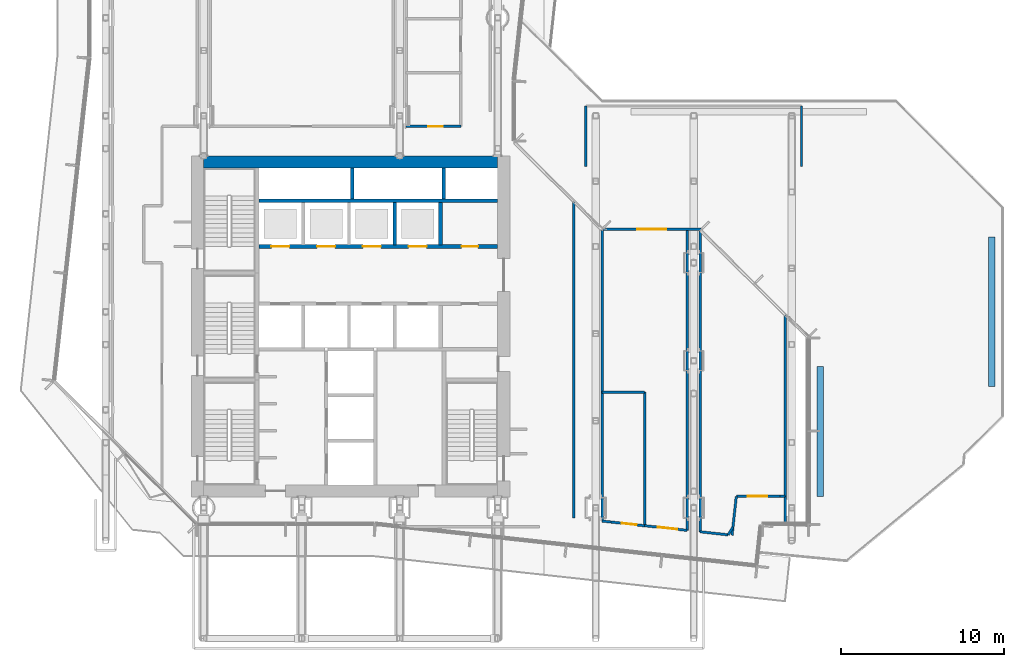
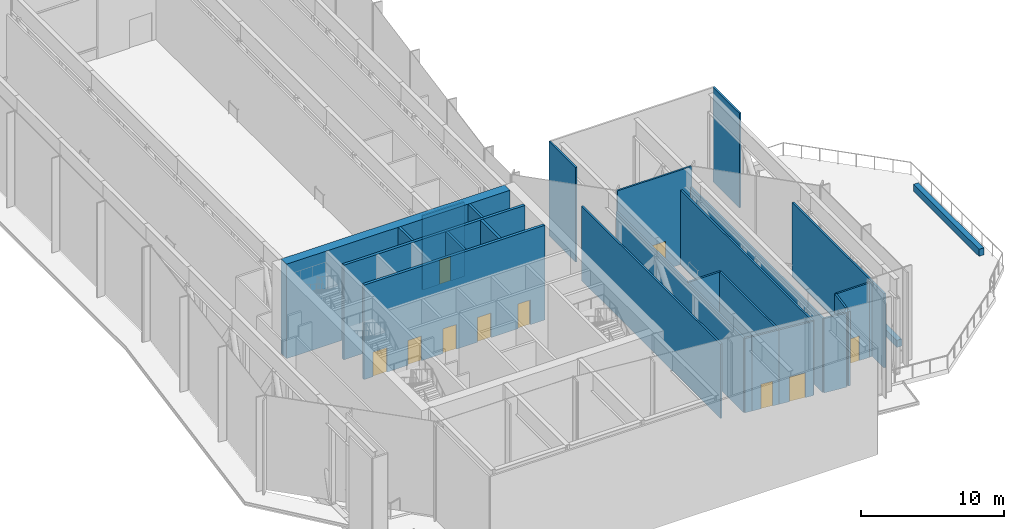
# One storey, part 14 of 24: 29 walls, 10 doors, 10 openings.
"""IFC4 building model written with IfcOpenShell, lengths in metres."""

from ifc_helpers import new_model, si_unit, direction, frame, frame_2d, origin, place, context, subcontext, project, spatial, rectangle, extrude, material, layer, layer_set, type_object, element, fill, save


model = new_model("IFC4")

# Units and contexts
model_context = context("Model", 3, precision=1e-05, world=origin(), true_north=direction((0.0, 1.0)))
body_context = subcontext(model_context, "Body", "Model", "MODEL_VIEW")
ifc_project = project(units=[si_unit("LENGTHUNIT", "METRE"), si_unit("AREAUNIT", "SQUARE_METRE"), si_unit("VOLUMEUNIT", "CUBIC_METRE"), si_unit("PLANEANGLEUNIT", "RADIAN"), si_unit("MASSUNIT", "GRAM", prefix="KILO")], contexts=[model_context])

# Site, building, storey
site_placement = place(None, origin())
site = spatial("IfcSite", under=ifc_project, at=site_placement, CompositionType="ELEMENT")
building_placement = place(site_placement, origin())
building = spatial("IfcBuilding", under=site, at=building_placement, Name="Welwitschia Terrace Campus", CompositionType="ELEMENT")
storey_placement = place(building_placement, frame((0.0, 0.0, 138.199951171875)))
storey = spatial("IfcBuildingStorey", under=building, at=storey_placement, Name="L31", CompositionType="ELEMENT", Elevation=138.199951171875)

# Wall, opening, door
ifc_material_1 = material(Name="Concrete C40/50", Category="concrete")
ifc_layer_1 = layer(ifc_material_1, 0.139892578125)
ifc_layer_set_1 = layer_set([ifc_layer_1], Name="Concrete C40/50")
wall_type_1 = type_object("IfcWallType", Name="Clad wall 140", PredefinedType="SOLIDWALL", material=ifc_layer_set_1)
wall_1_placement = place(storey_placement, frame((36.434814453125, 21.050048828125, 0.0), z_axis=(0.0, 0.0, 1.0), x_axis=(-1.0, 0.0, 0.0)))
wall_1 = element("IfcWall", 1, at=wall_1_placement, inside=storey, type_object=wall_type_1, Name="Clad wall L31.terrace door 0", PredefinedType="SOLIDWALL", context=body_context, shape_type="SweptSolid", body=[
    extrude(rectangle(XDim=6.0, YDim=0.139892578125, at=frame_2d((3.0, 0.0))), origin(), (0.0, 0.0, 1.0), 8.050048828125),
])
opening_1_placement = place(wall_1_placement, frame((2.10009765625, 0.0, 0.0)))
opening_1 = element("IfcOpeningElement", 2, at=opening_1_placement, cuts=wall_1, Name="Opening DE3", PredefinedType="OPENING", context=body_context, shape_type="SweptSolid", body=[
    extrude(rectangle(XDim=1.800048828125, YDim=2.39990234375, at=frame_2d((0.89990234375, 1.199951171875))), frame((0.0, 0.079833984375, 0.0), z_axis=(0.0, -1.0, 0.0), x_axis=(1.0, 0.0, 0.0)), (0.0, 0.0, 1.0), 0.159912109375),
])
ifc_material_2 = material(Name="Bronze anodised aluminium and glass", Category="aluminium")
door_type_1 = type_object("IfcDoorType", Name="Terrace door 1800x2400", OperationType="DOUBLE_DOOR_DOUBLE_SWING", PredefinedType="DOOR", material=ifc_material_2)
door_1_placement = place(opening_1_placement, origin())
door_1 = element("IfcDoor", 3, at=door_1_placement, inside=storey, type_object=door_type_1, Name="Door L31:T0", OperationType="DOUBLE_DOOR_DOUBLE_SWING", OverallHeight=2.39990234375, OverallWidth=1.800048828125, PredefinedType="DOOR", context=body_context, shape_type="SweptSolid", body=[
    extrude(rectangle(XDim=1.800048828125, YDim=2.39990234375, at=frame_2d((0.89990234375, 1.199951171875))), frame((0.0, 0.02490234375, 0.0), z_axis=(0.0, -1.0, 0.0), x_axis=(1.0, 0.0, 0.0)), (0.0, 0.0, 1.0), 0.050048828125),
])
fill(opening_1, door_1)

# Walls
for number, where, z_axis, x_axis, name in (
    (4, (29.39990234375, 24.89990234375, 0.0), (0.0, 0.0, 1.0), (0.0, 1.0, 0.0), "Clad wall L31.tip fascia Nb1 w"),
    (5, (42.60009765625, 24.89990234375, 0.0), (0.0, 0.0, 1.0), (0.0, 1.0, 0.0), "Clad wall L31.tip fascia Nb1 e"),
):
    element("IfcWall", number, at=place(storey_placement, frame(where, z_axis=z_axis, x_axis=x_axis)), inside=storey, type_object=wall_type_1, Name=name, PredefinedType="SOLIDWALL", context=body_context, shape_type="SweptSolid", body=[
        extrude(rectangle(XDim=3.7001953125, YDim=0.139892578125, at=frame_2d((1.85009765625, 0.0))), origin(), (0.0, 0.0, 1.0), 8.050048828125),
    ])

# Wall, openings, doors
ifc_material_3 = material(Name="Concrete C32/40", Category="concrete")
ifc_layer_2 = layer(ifc_material_3, 0.22509765625)
ifc_layer_set_2 = layer_set([ifc_layer_2], Name="Concrete C32/40")
wall_type_2 = type_object("IfcWallType", Name="Core partition 225 Concrete C32/40", PredefinedType="PARTITIONING", material=ifc_layer_set_2)
wall_2_placement = place(storey_placement, frame((24.0, 20.0, 0.0), z_axis=(0.0, 0.0, 1.0), x_axis=(-1.0, 0.0, 0.0)))
wall_2 = element("IfcWall", 6, at=wall_2_placement, inside=storey, type_object=wall_type_2, Name="Shaft wall", PredefinedType="PARTITIONING", context=body_context, shape_type="SweptSolid", body=[
    extrude(rectangle(XDim=14.60009765625, YDim=0.22509765625, at=frame_2d((7.300048828125, 0.0))), origin(), (0.0, 0.0, 1.0), 8.050048828125),
])
opening_2_placement = place(wall_2_placement, frame((12.75, 0.0, 0.0)))
opening_2 = element("IfcOpeningElement", 7, at=opening_2_placement, cuts=wall_2, Name="Opening LD", PredefinedType="OPENING", context=body_context, shape_type="SweptSolid", body=[
    extrude(rectangle(XDim=1.10009765625, YDim=2.10009765625, at=frame_2d((0.550048828125, 1.050048828125))), frame((0.0, 0.12255859375, 0.0), z_axis=(0.0, -1.0, 0.0), x_axis=(1.0, 0.0, 0.0)), (0.0, 0.0, 1.0), 0.2451171875),
])
opening_3_placement = place(wall_2_placement, frame((9.949951171875, 0.0, 0.0)))
opening_3 = element("IfcOpeningElement", 8, at=opening_3_placement, cuts=wall_2, Name="Opening LD", PredefinedType="OPENING", context=body_context, shape_type="SweptSolid", body=[
    extrude(rectangle(XDim=1.10009765625, YDim=2.10009765625, at=frame_2d((0.550048828125, 1.050048828125))), frame((0.0, 0.12255859375, 0.0), z_axis=(0.0, -1.0, 0.0), x_axis=(1.0, 0.0, 0.0)), (0.0, 0.0, 1.0), 0.2451171875),
])
opening_4_placement = place(wall_2_placement, frame((7.14990234375, 0.0, 0.0)))
opening_4 = element("IfcOpeningElement", 9, at=opening_4_placement, cuts=wall_2, Name="Opening LD", PredefinedType="OPENING", context=body_context, shape_type="SweptSolid", body=[
    extrude(rectangle(XDim=1.10009765625, YDim=2.10009765625, at=frame_2d((0.550048828125, 1.050048828125))), frame((0.0, 0.12255859375, 0.0), z_axis=(0.0, -1.0, 0.0), x_axis=(1.0, 0.0, 0.0)), (0.0, 0.0, 1.0), 0.2451171875),
])
opening_5_placement = place(wall_2_placement, frame((4.35009765625, 0.0, 0.0)))
opening_5 = element("IfcOpeningElement", 10, at=opening_5_placement, cuts=wall_2, Name="Opening LD", PredefinedType="OPENING", context=body_context, shape_type="SweptSolid", body=[
    extrude(rectangle(XDim=1.10009765625, YDim=2.10009765625, at=frame_2d((0.550048828125, 1.050048828125))), frame((0.0, 0.12255859375, 0.0), z_axis=(0.0, -1.0, 0.0), x_axis=(1.0, 0.0, 0.0)), (0.0, 0.0, 1.0), 0.2451171875),
])
opening_6_placement = place(wall_2_placement, frame((1.199951171875, 0.0, 0.0)))
opening_6 = element("IfcOpeningElement", 11, at=opening_6_placement, cuts=wall_2, Name="Opening DR10", PredefinedType="OPENING", context=body_context, shape_type="SweptSolid", body=[
    extrude(rectangle(XDim=1.0, YDim=2.10009765625, at=frame_2d((0.5, 1.050048828125))), frame((0.0, 0.12255859375, 0.0), z_axis=(0.0, -1.0, 0.0), x_axis=(1.0, 0.0, 0.0)), (0.0, 0.0, 1.0), 0.2451171875),
])
ifc_material_4 = material(Name="Steel S275", Category="steel")
door_type_2 = type_object("IfcDoorType", Name="Core door DR10", OperationType="SINGLE_SWING_LEFT", PredefinedType="DOOR", material=ifc_material_4)
door_2_placement = place(opening_6_placement, origin())
door_2 = element("IfcDoor", 12, at=door_2_placement, inside=storey, type_object=door_type_2, Name="Door EH-D", OperationType="SINGLE_SWING_LEFT", OverallHeight=2.10009765625, OverallWidth=1.0, PredefinedType="DOOR", context=body_context, shape_type="SweptSolid", body=[
    extrude(rectangle(XDim=1.0, YDim=2.10009765625, at=frame_2d((0.5, 1.050048828125))), frame((0.0, 0.02490234375, 0.0), z_axis=(0.0, -1.0, 0.0), x_axis=(1.0, 0.0, 0.0)), (0.0, 0.0, 1.0), 0.050048828125),
])
fill(opening_6, door_2)
ifc_material_5 = material(Name="Stainless steel 304", Category="steel")
door_type_3 = type_object("IfcDoorType", Name="Lift landing door", OperationType="DOUBLE_DOOR_SLIDING", PredefinedType="DOOR", material=ifc_material_5)
door_3_placement = place(opening_2_placement, origin())
door_3 = element("IfcDoor", 13, at=door_3_placement, inside=storey, type_object=door_type_3, Name="Landing door HR1", OperationType="DOUBLE_DOOR_SLIDING", OverallHeight=2.10009765625, OverallWidth=1.10009765625, PredefinedType="DOOR", context=body_context, shape_type="SweptSolid", body=[
    extrude(rectangle(XDim=1.10009765625, YDim=2.10009765625, at=frame_2d((0.550048828125, 1.050048828125))), frame((0.0, 0.02490234375, 0.0), z_axis=(0.0, -1.0, 0.0), x_axis=(1.0, 0.0, 0.0)), (0.0, 0.0, 1.0), 0.050048828125),
])
fill(opening_2, door_3)
door_4_placement = place(opening_3_placement, origin())
door_4 = element("IfcDoor", 14, at=door_4_placement, inside=storey, type_object=door_type_3, Name="Landing door HR2", OperationType="DOUBLE_DOOR_SLIDING", OverallHeight=2.10009765625, OverallWidth=1.10009765625, PredefinedType="DOOR", context=body_context, shape_type="SweptSolid", body=[
    extrude(rectangle(XDim=1.10009765625, YDim=2.10009765625, at=frame_2d((0.550048828125, 1.050048828125))), frame((0.0, 0.02490234375, 0.0), z_axis=(0.0, -1.0, 0.0), x_axis=(1.0, 0.0, 0.0)), (0.0, 0.0, 1.0), 0.050048828125),
])
fill(opening_3, door_4)
door_5_placement = place(opening_4_placement, origin())
door_5 = element("IfcDoor", 15, at=door_5_placement, inside=storey, type_object=door_type_3, Name="Landing door HR3", OperationType="DOUBLE_DOOR_SLIDING", OverallHeight=2.10009765625, OverallWidth=1.10009765625, PredefinedType="DOOR", context=body_context, shape_type="SweptSolid", body=[
    extrude(rectangle(XDim=1.10009765625, YDim=2.10009765625, at=frame_2d((0.550048828125, 1.050048828125))), frame((0.0, 0.02490234375, 0.0), z_axis=(0.0, -1.0, 0.0), x_axis=(1.0, 0.0, 0.0)), (0.0, 0.0, 1.0), 0.050048828125),
])
fill(opening_4, door_5)
door_6_placement = place(opening_5_placement, origin())
door_6 = element("IfcDoor", 16, at=door_6_placement, inside=storey, type_object=door_type_3, Name="Landing door HR4", OperationType="DOUBLE_DOOR_SLIDING", OverallHeight=2.10009765625, OverallWidth=1.10009765625, PredefinedType="DOOR", context=body_context, shape_type="SweptSolid", body=[
    extrude(rectangle(XDim=1.10009765625, YDim=2.10009765625, at=frame_2d((0.550048828125, 1.050048828125))), frame((0.0, 0.02490234375, 0.0), z_axis=(0.0, -1.0, 0.0), x_axis=(1.0, 0.0, 0.0)), (0.0, 0.0, 1.0), 0.050048828125),
])
fill(opening_5, door_6)

# Walls
wall_3_placement = place(storey_placement, frame((9.39990234375, 22.800048828125, 0.0), z_axis=(0.0, 0.0, 1.0), x_axis=(1.0, 0.0, 0.0)))
element("IfcWall", 17, at=wall_3_placement, inside=storey, type_object=wall_type_2, Name="Shaft wall", PredefinedType="PARTITIONING", context=body_context, shape_type="SweptSolid", body=[
    extrude(rectangle(XDim=14.60009765625, YDim=0.22509765625, at=frame_2d((7.300048828125, 0.0))), origin(), (0.0, 0.0, 1.0), 8.050048828125),
])
wall_4_placement = place(storey_placement, frame((20.5, 20.10009765625, 0.0), z_axis=(0.0, 0.0, 1.0), x_axis=(0.0, 1.0, 0.0)))
element("IfcWall", 18, at=wall_4_placement, inside=storey, type_object=wall_type_2, Name="Shaft wall", PredefinedType="PARTITIONING", context=body_context, shape_type="SweptSolid", body=[
    extrude(rectangle(XDim=2.599853515625, YDim=0.22509765625, at=frame_2d((1.2998046875, 0.0))), origin(), (0.0, 0.0, 1.0), 8.050048828125),
])
ifc_material_6 = material(Name="Concrete C50/60", Category="concrete")
ifc_layer_3 = layer(ifc_material_6, 0.199951171875)
ifc_layer_set_3 = layer_set([ifc_layer_3], Name="Concrete C50/60")
wall_type_3 = type_object("IfcWallType", Name="Core wall 200 Concrete C50/60", PredefinedType="SHEAR", material=ifc_layer_set_3)
for number, where, z_axis, x_axis, name in (
    (19, (15.10009765625, 22.89990234375, 0.0), (0.0, 0.0, 1.0), (0.0, 1.0, 0.0), "Core wall"),
    (20, (20.699951171875, 22.89990234375, 0.0), (0.0, 0.0, 1.0), (0.0, 1.0, 0.0), "Core wall"),
):
    element("IfcWall", number, at=place(storey_placement, frame(where, z_axis=z_axis, x_axis=x_axis)), inside=storey, type_object=wall_type_3, Name=name, PredefinedType="SHEAR", context=body_context, shape_type="SweptSolid", body=[
        extrude(rectangle(XDim=1.900146484375, YDim=0.199951171875, at=frame_2d((0.9501953125, 0.0))), origin(), (0.0, 0.0, 1.0), 8.050048828125),
    ])
ifc_material_7 = material(Name="Concrete C70/85", Category="concrete")
ifc_layer_4 = layer(ifc_material_7, 0.75)
ifc_layer_set_4 = layer_set([ifc_layer_4], Name="Concrete C70/85")
wall_type_4 = type_object("IfcWallType", Name="Core wall 750 Concrete C70/85", PredefinedType="SHEAR", material=ifc_layer_set_4)
wall_5_placement = place(storey_placement, frame((6.0, 25.175048828125, 0.0), z_axis=(0.0, 0.0, 1.0), x_axis=(1.0, 0.0, 0.0)))
element("IfcWall", 21, at=wall_5_placement, inside=storey, type_object=wall_type_4, Name="Core outer wall", PredefinedType="SHEAR", context=body_context, shape_type="SweptSolid", body=[
    extrude(rectangle(XDim=18.0, YDim=0.75, at=frame_2d((9.0, 0.0))), origin(), (0.0, 0.0, 1.0), 8.050048828125),
])

# Wall, opening, door
ifc_material_8 = material(Name="Gypsum board on steel studs", Category="steel")
ifc_layer_5 = layer(ifc_material_8, 0.14990234375)
ifc_layer_set_5 = layer_set([ifc_layer_5], Name="Gypsum board on steel studs")
wall_type_5 = type_object("IfcWallType", Name="Corridor partition 150 EI 30", PredefinedType="PARTITIONING", material=ifc_layer_set_5)
wall_6_placement = place(storey_placement, frame((18.39990234375, 27.35009765625, 0.0), z_axis=(0.0, 0.0, 1.0), x_axis=(1.0, 0.0, 0.0)))
wall_6 = element("IfcWall", 22, at=wall_6_placement, inside=storey, type_object=wall_type_5, Name="Partition", PredefinedType="PARTITIONING", context=body_context, shape_type="SweptSolid", body=[
    extrude(rectangle(XDim=3.35009765625, YDim=0.14990234375, at=frame_2d((1.675048828125, 0.0))), origin(), (0.0, 0.0, 1.0), 6.330078125),
])
opening_7_placement = place(wall_6_placement, frame((1.35009765625, 0.0, 0.0)))
opening_7 = element("IfcOpeningElement", 23, at=opening_7_placement, cuts=wall_6, Name="Opening DI09", PredefinedType="OPENING", context=body_context, shape_type="SweptSolid", body=[
    extrude(rectangle(XDim=0.89990234375, YDim=2.10009765625, at=frame_2d((0.449951171875, 1.050048828125))), frame((0.0, 0.0849609375, 0.0), z_axis=(0.0, -1.0, 0.0), x_axis=(1.0, 0.0, 0.0)), (0.0, 0.0, 1.0), 0.169921875),
])
ifc_material_9 = material(Name="Timber veneered door", Category="wood")
door_type_4 = type_object("IfcDoorType", Name="Interior door DI09", OperationType="NOTDEFINED", PredefinedType="DOOR", material=ifc_material_9)
door_7_placement = place(opening_7_placement, origin())
door_7 = element("IfcDoor", 24, at=door_7_placement, inside=storey, type_object=door_type_4, Name="Door L31 651", OperationType="SINGLE_SWING_RIGHT", OverallHeight=2.10009765625, OverallWidth=0.89990234375, PredefinedType="DOOR", context=body_context, shape_type="SweptSolid", body=[
    extrude(rectangle(XDim=0.89990234375, YDim=2.10009765625, at=frame_2d((0.449951171875, 1.050048828125))), frame((0.0, 0.02490234375, 0.0), z_axis=(0.0, -1.0, 0.0), x_axis=(1.0, 0.0, 0.0)), (0.0, 0.0, 1.0), 0.050048828125),
])
fill(opening_7, door_7)

# Walls
wall_7_placement = place(storey_placement, frame((28.64990234375, 3.3798828125, 0.0), z_axis=(0.0, 0.0, 1.0), x_axis=(0.0, 1.0, 0.0)))
element("IfcWall", 25, at=wall_7_placement, inside=storey, type_object=wall_type_5, Name="Partition", PredefinedType="PARTITIONING", context=body_context, shape_type="SweptSolid", body=[
    extrude(rectangle(XDim=19.380126953125, YDim=0.14990234375, at=frame_2d((9.68994140625, 0.0))), origin(), (0.0, 0.0, 1.0), 6.330078125),
])
wall_8_placement = place(storey_placement, frame((30.39990234375, 3.18994140625, 0.0), z_axis=(0.0, 0.0, 1.0), x_axis=(0.0, 1.0, 0.0)))
element("IfcWall", 26, at=wall_8_placement, inside=storey, type_object=wall_type_5, Name="Partition", PredefinedType="PARTITIONING", context=body_context, shape_type="SweptSolid", body=[
    extrude(rectangle(XDim=17.796142578125, YDim=0.14990234375, at=frame_2d((8.89794921875, 0.0))), origin(), (0.0, 0.0, 1.0), 6.330078125),
])
wall_9_placement = place(storey_placement, frame((30.39990234375, 3.18994140625, 0.0), z_axis=(0.0, 0.0, 1.0), x_axis=(0.993845851809, -0.110771940683, 0.0)))
element("IfcWall", 27, at=wall_9_placement, inside=storey, type_object=wall_type_5, Name="Partition", PredefinedType="PARTITIONING", context=body_context, shape_type="SweptSolid", body=[
    extrude(rectangle(XDim=0.551025390625, YDim=0.14990234375, at=frame_2d((0.275390625, 0.0))), origin(), (0.0, 0.0, 1.0), 6.330078125),
])
wall_10_placement = place(storey_placement, frame((30.39990234375, 11.080078125, 0.0), z_axis=(0.0, 0.0, 1.0), x_axis=(1.0, 0.0, 0.0)))
element("IfcWall", 28, at=wall_10_placement, inside=storey, type_object=wall_type_5, Name="Partition", PredefinedType="PARTITIONING", context=body_context, shape_type="SweptSolid", body=[
    extrude(rectangle(XDim=2.60009765625, YDim=0.14990234375, at=frame_2d((1.300048828125, 0.0))), origin(), (0.0, 0.0, 1.0), 6.330078125),
])

# Wall, opening, door
wall_11_placement = place(storey_placement, frame((30.947509765625, 3.12890625, 0.0), z_axis=(0.0, 0.0, 1.0), x_axis=(0.993833173322, -0.110885632993, 0.0)))
wall_11 = element("IfcWall", 29, at=wall_11_placement, inside=storey, type_object=wall_type_5, Name="Partition", PredefinedType="PARTITIONING", context=body_context, shape_type="SweptSolid", body=[
    extrude(rectangle(XDim=2.065185546875, YDim=0.14990234375, at=frame_2d((1.03271484375, 0.0))), origin(), (0.0, 0.0, 1.0), 6.330078125),
])
opening_8_placement = place(wall_11_placement, frame((0.665283203125, 0.0, 0.0)))
opening_8 = element("IfcOpeningElement", 30, at=opening_8_placement, cuts=wall_11, Name="Opening DI09", PredefinedType="OPENING", context=body_context, shape_type="SweptSolid", body=[
    extrude(rectangle(XDim=0.89990234375, YDim=2.10009765625, at=frame_2d((0.449951171875, 1.050048828125))), frame((0.0, 0.0849609375, 0.0), z_axis=(0.0, -1.0, 0.0), x_axis=(1.0, 0.0, 0.0)), (0.0, 0.0, 1.0), 0.169921875),
])
door_8_placement = place(opening_8_placement, origin())
door_8 = element("IfcDoor", 31, at=door_8_placement, inside=storey, type_object=door_type_4, Name="Door L31 656", OperationType="SINGLE_SWING_LEFT", OverallHeight=2.10009765625, OverallWidth=0.89990234375, PredefinedType="DOOR", context=body_context, shape_type="SweptSolid", body=[
    extrude(rectangle(XDim=0.89990234375, YDim=2.10009765625, at=frame_2d((0.449951171875, 1.050048828125))), frame((0.0, 0.02490234375, 0.0), z_axis=(0.0, -1.0, 0.0), x_axis=(1.0, 0.0, 0.0)), (0.0, 0.0, 1.0), 0.050048828125),
])
fill(opening_8, door_8)

# Wall
wall_12_placement = place(storey_placement, frame((33.0, 2.904541015625, 0.0), z_axis=(0.0, 0.0, 1.0), x_axis=(0.0, 1.0, 0.0)))
element("IfcWall", 32, at=wall_12_placement, inside=storey, type_object=wall_type_5, Name="Partition", PredefinedType="PARTITIONING", context=body_context, shape_type="SweptSolid", body=[
    extrude(rectangle(XDim=8.175537109375, YDim=0.14990234375, at=frame_2d((4.087890625, 0.0))), origin(), (0.0, 0.0, 1.0), 6.330078125),
])

# Wall, opening, door
wall_13_placement = place(storey_placement, frame((33.0, 2.904541015625, 0.0), z_axis=(0.0, 0.0, 1.0), x_axis=(0.994090278012, -0.108556525195, 0.0)))
wall_13 = element("IfcWall", 33, at=wall_13_placement, inside=storey, type_object=wall_type_5, Name="Partition", PredefinedType="PARTITIONING", context=body_context, shape_type="SweptSolid", body=[
    extrude(rectangle(XDim=2.615478515625, YDim=0.14990234375, at=frame_2d((1.3076171875, 0.0))), origin(), (0.0, 0.0, 1.0), 6.330078125),
])
opening_9_placement = place(wall_13_placement, frame((0.800048828125, 0.0, 0.0)))
opening_9 = element("IfcOpeningElement", 34, at=opening_9_placement, cuts=wall_13, Name="Opening DI12", PredefinedType="OPENING", context=body_context, shape_type="SweptSolid", body=[
    extrude(rectangle(XDim=1.199951171875, YDim=2.10009765625, at=frame_2d((0.60009765625, 1.050048828125))), frame((0.0, 0.0849609375, 0.0), z_axis=(0.0, -1.0, 0.0), x_axis=(1.0, 0.0, 0.0)), (0.0, 0.0, 1.0), 0.169921875),
])
ifc_material_10 = material(Name="Timber veneered door", Category="wood")
door_type_5 = type_object("IfcDoorType", Name="Interior door DI12", OperationType="NOTDEFINED", PredefinedType="DOOR", material=ifc_material_10)
door_9_placement = place(opening_9_placement, origin())
door_9 = element("IfcDoor", 35, at=door_9_placement, inside=storey, type_object=door_type_5, Name="Door L31 657", OperationType="SINGLE_SWING_RIGHT", OverallHeight=2.10009765625, OverallWidth=1.199951171875, PredefinedType="DOOR", context=body_context, shape_type="SweptSolid", body=[
    extrude(rectangle(XDim=1.199951171875, YDim=2.10009765625, at=frame_2d((0.60009765625, 1.050048828125))), frame((0.0, 0.02490234375, 0.0), z_axis=(0.0, -1.0, 0.0), x_axis=(1.0, 0.0, 0.0)), (0.0, 0.0, 1.0), 0.050048828125),
])
fill(opening_9, door_9)

# Walls
wall_14_placement = place(storey_placement, frame((35.60009765625, 2.62060546875, 0.0), z_axis=(0.0, 0.0, 1.0), x_axis=(0.0, 1.0, 0.0)))
element("IfcWall", 36, at=wall_14_placement, inside=storey, type_object=wall_type_5, Name="Partition", PredefinedType="PARTITIONING", context=body_context, shape_type="SweptSolid", body=[
    extrude(rectangle(XDim=18.37939453125, YDim=0.14990234375, at=frame_2d((9.189697265625, 0.0))), origin(), (0.0, 0.0, 1.0), 6.330078125),
])
wall_15_placement = place(storey_placement, frame((36.39990234375, 2.533203125, 0.0), z_axis=(0.0, 0.0, 1.0), x_axis=(0.0, 1.0, 0.0)))
element("IfcWall", 37, at=wall_15_placement, inside=storey, type_object=wall_type_5, Name="Partition", PredefinedType="PARTITIONING", context=body_context, shape_type="SweptSolid", body=[
    extrude(rectangle(XDim=18.41064453125, YDim=0.14990234375, at=frame_2d((9.205322265625, 0.0))), origin(), (0.0, 0.0, 1.0), 6.330078125),
])
wall_16_placement = place(storey_placement, frame((36.39990234375, 2.533203125, 0.0), z_axis=(0.0, 0.0, 1.0), x_axis=(0.99406714658, -0.108768139133, 0.0)))
element("IfcWall", 38, at=wall_16_placement, inside=storey, type_object=wall_type_5, Name="Partition", PredefinedType="PARTITIONING", context=body_context, shape_type="SweptSolid", body=[
    extrude(rectangle(XDim=1.723876953125, YDim=0.14990234375, at=frame_2d((0.86181640625, 0.0))), origin(), (0.0, 0.0, 1.0), 6.330078125),
])
wall_17_placement = place(storey_placement, frame((38.113525390625, 2.345703125, 0.0), z_axis=(0.0, 0.0, 1.0), x_axis=(0.522069410568, 0.852903001841, 0.0)))
element("IfcWall", 39, at=wall_17_placement, inside=storey, type_object=wall_type_5, Name="Partition", PredefinedType="PARTITIONING", context=body_context, shape_type="SweptSolid", body=[
    extrude(rectangle(XDim=0.557861328125, YDim=0.14990234375, at=frame_2d((0.27880859375, 0.0))), origin(), (0.0, 0.0, 1.0), 6.330078125),
])
wall_18_placement = place(storey_placement, frame((38.35009765625, 2.320068359375, 0.0), z_axis=(0.0, 0.0, 1.0), x_axis=(0.108606922801, 0.994084773206, 0.0)))
element("IfcWall", 40, at=wall_18_placement, inside=storey, type_object=wall_type_5, Name="Partition", PredefinedType="PARTITIONING", context=body_context, shape_type="SweptSolid", body=[
    extrude(rectangle(XDim=2.39404296875, YDim=0.14990234375, at=frame_2d((1.197021484375, 0.0))), origin(), (0.0, 0.0, 1.0), 6.330078125),
])

# Wall, opening, door
wall_19_placement = place(storey_placement, frame((38.610107421875, 4.699951171875, 0.0), z_axis=(0.0, 0.0, 1.0), x_axis=(1.0, 0.0, 0.0)))
wall_19 = element("IfcWall", 41, at=wall_19_placement, inside=storey, type_object=wall_type_5, Name="Partition", PredefinedType="PARTITIONING", context=body_context, shape_type="SweptSolid", body=[
    extrude(rectangle(XDim=2.68994140625, YDim=0.14990234375, at=frame_2d((1.344970703125, 0.0))), origin(), (0.0, 0.0, 1.0), 6.330078125),
])
opening_10_placement = place(wall_19_placement, frame((0.68994140625, 0.0, 0.0)))
opening_10 = element("IfcOpeningElement", 42, at=opening_10_placement, cuts=wall_19, Name="Opening DI12", PredefinedType="OPENING", context=body_context, shape_type="SweptSolid", body=[
    extrude(rectangle(XDim=1.199951171875, YDim=2.10009765625, at=frame_2d((0.60009765625, 1.050048828125))), frame((0.0, 0.0849609375, 0.0), z_axis=(0.0, -1.0, 0.0), x_axis=(1.0, 0.0, 0.0)), (0.0, 0.0, 1.0), 0.169921875),
])
door_10_placement = place(opening_10_placement, origin())
door_10 = element("IfcDoor", 43, at=door_10_placement, inside=storey, type_object=door_type_5, Name="Door L31 658", OperationType="SINGLE_SWING_LEFT", OverallHeight=2.10009765625, OverallWidth=1.199951171875, PredefinedType="DOOR", context=body_context, shape_type="SweptSolid", body=[
    extrude(rectangle(XDim=1.199951171875, YDim=2.10009765625, at=frame_2d((0.60009765625, 1.050048828125))), frame((0.0, 0.02490234375, 0.0), z_axis=(0.0, -1.0, 0.0), x_axis=(1.0, 0.0, 0.0)), (0.0, 0.0, 1.0), 0.050048828125),
])
fill(opening_10, door_10)

# Walls
wall_20_placement = place(storey_placement, frame((41.300048828125, 4.699951171875, 0.0), z_axis=(0.0, 0.0, 1.0), x_axis=(1.0, 0.0, 0.0)))
element("IfcWall", 44, at=wall_20_placement, inside=storey, type_object=wall_type_5, Name="Partition", PredefinedType="PARTITIONING", context=body_context, shape_type="SweptSolid", body=[
    extrude(rectangle(XDim=0.300048828125, YDim=0.14990234375, at=frame_2d((0.14990234375, 0.0))), origin(), (0.0, 0.0, 1.0), 6.330078125),
])
wall_21_placement = place(storey_placement, frame((41.60009765625, 3.0, 0.0), z_axis=(0.0, 0.0, 1.0), x_axis=(0.0, 1.0, 0.0)))
element("IfcWall", 45, at=wall_21_placement, inside=storey, type_object=wall_type_5, Name="Partition", PredefinedType="PARTITIONING", context=body_context, shape_type="SweptSolid", body=[
    extrude(rectangle(XDim=1.699951171875, YDim=0.14990234375, at=frame_2d((0.85009765625, 0.0))), origin(), (0.0, 0.0, 1.0), 6.330078125),
])
wall_22_placement = place(storey_placement, frame((41.60009765625, 4.699951171875, 0.0), z_axis=(0.0, 0.0, 1.0), x_axis=(0.0, 1.0, 0.0)))
element("IfcWall", 46, at=wall_22_placement, inside=storey, type_object=wall_type_5, Name="Partition", PredefinedType="PARTITIONING", context=body_context, shape_type="SweptSolid", body=[
    extrude(rectangle(XDim=11.110107421875, YDim=0.14990234375, at=frame_2d((5.55517578125, 0.0))), origin(), (0.0, 0.0, 1.0), 6.330078125),
])
ifc_material_11 = material(Name="Concrete C40/50", Category="concrete")
ifc_layer_6 = layer(ifc_material_11, 0.39990234375)
ifc_layer_set_6 = layer_set([ifc_layer_6], Name="Concrete C40/50")
wall_type_6 = type_object("IfcWallType", Name="Planter wall 400", PredefinedType="SOLIDWALL", material=ifc_layer_set_6)
wall_23_placement = place(storey_placement, frame((54.25, 20.57275390625, 0.0), z_axis=(0.0, 0.0, 1.0), x_axis=(0.0, -1.0, 0.0)))
element("IfcWall", 47, at=wall_23_placement, inside=storey, type_object=wall_type_6, Name="PLANTER", PredefinedType="SOLIDWALL", context=body_context, shape_type="SweptSolid", body=[
    extrude(rectangle(XDim=9.1455078125, YDim=0.39990234375, at=frame_2d((4.57275390625, 0.0))), origin(), (0.0, 0.0, 1.0), 0.60009765625),
])
wall_24_placement = place(storey_placement, frame((43.75, 4.699951171875, 0.0), z_axis=(0.0, 0.0, 1.0), x_axis=(0.0, 1.0, 0.0)))
element("IfcWall", 48, at=wall_24_placement, inside=storey, type_object=wall_type_6, Name="PLANTER", PredefinedType="SOLIDWALL", context=body_context, shape_type="SweptSolid", body=[
    extrude(rectangle(XDim=7.95556640625, YDim=0.39990234375, at=frame_2d((3.977783203125, 0.0))), origin(), (0.0, 0.0, 1.0), 0.60009765625),
])
ifc_material_12 = material(Name="Concrete C32/40", Category="concrete")
ifc_layer_7 = layer(ifc_material_12, 0.199951171875)
ifc_layer_set_7 = layer_set([ifc_layer_7], Name="Concrete C32/40")
wall_type_7 = type_object("IfcWallType", Name="Shaft wall 200 Concrete C32/40", PredefinedType="SOLIDWALL", material=ifc_layer_set_7)
wall_25_placement = place(storey_placement, frame((17.699951171875, 20.10009765625, 0.0), z_axis=(0.0, 0.0, 1.0), x_axis=(0.0, 1.0, 0.0)))
element("IfcWall", 49, at=wall_25_placement, inside=storey, type_object=wall_type_7, Name="Shaft wall", PredefinedType="SOLIDWALL", context=body_context, shape_type="SweptSolid", body=[
    extrude(rectangle(XDim=2.599853515625, YDim=0.199951171875, at=frame_2d((1.2998046875, 0.0))), origin(), (0.0, 0.0, 1.0), 8.050048828125),
])

save(model, "model.ifc")
